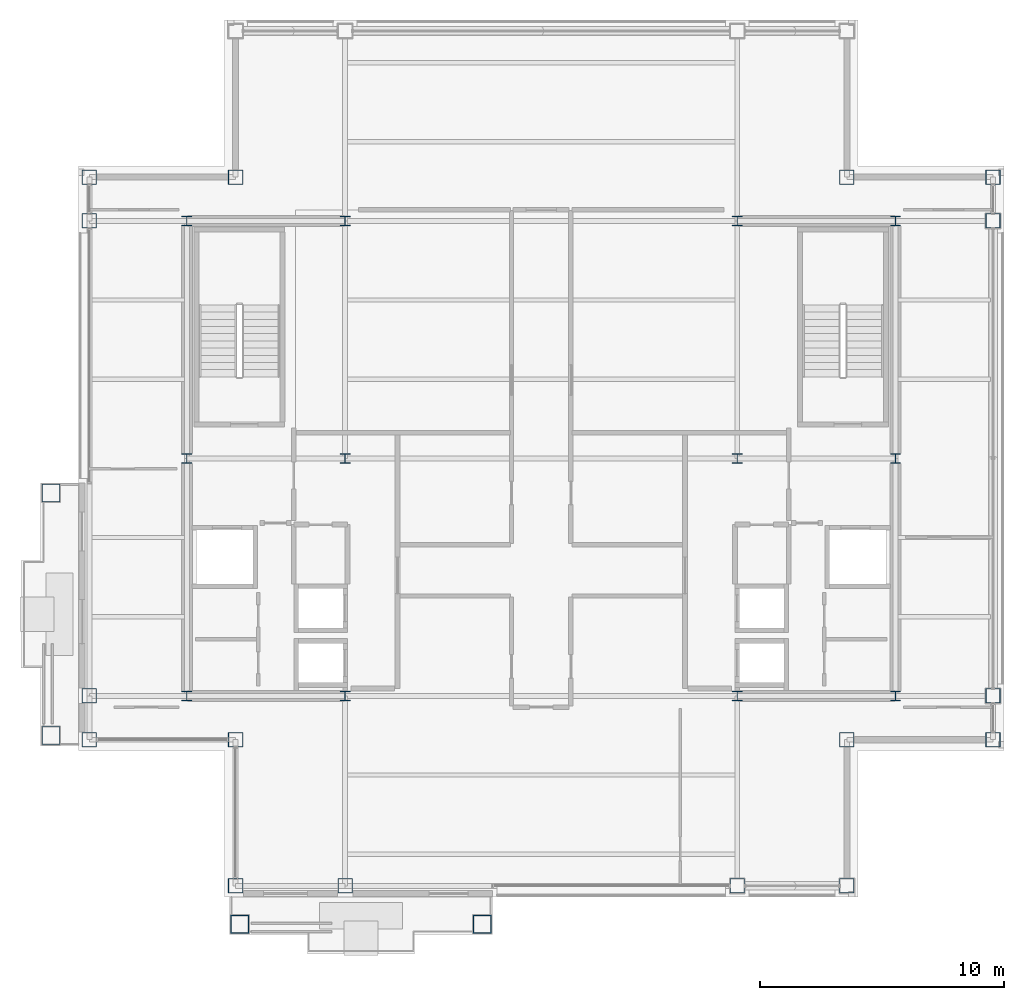
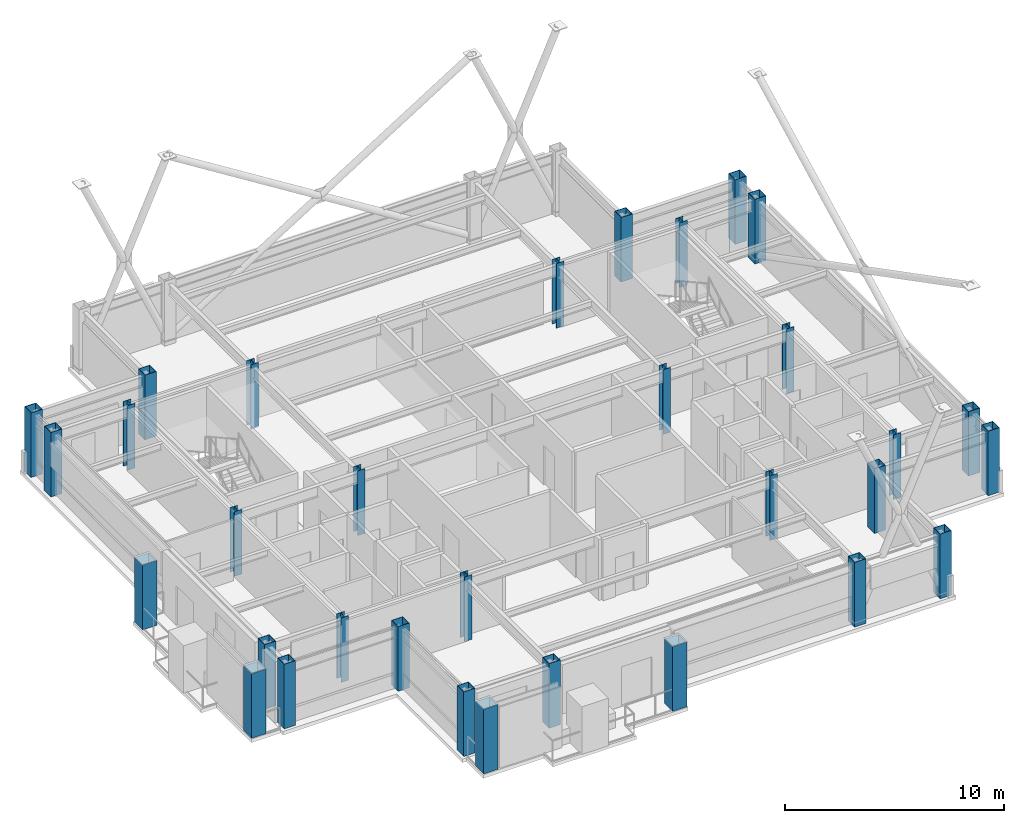
# One storey, part 1 of 27: 32 columns.
"""IFC4 building model written with IfcOpenShell, lengths in metres."""

from ifc_helpers import new_model, si_unit, direction, frame, origin, origin_2d, place, context, subcontext, project, spatial, hollow_rectangle, i_section, extrude, material, material_profile, profile_set, type_object, element, save


model = new_model("IFC4")

# Units and contexts
model_context = context("Model", 3, precision=1e-05, world=origin(), true_north=direction((0.0, 1.0)))
body_context = subcontext(model_context, "Body", "Model", "MODEL_VIEW")
ifc_project = project(units=[si_unit("LENGTHUNIT", "METRE"), si_unit("AREAUNIT", "SQUARE_METRE"), si_unit("VOLUMEUNIT", "CUBIC_METRE"), si_unit("PLANEANGLEUNIT", "RADIAN"), si_unit("MASSUNIT", "GRAM", prefix="KILO")], contexts=[model_context])

# Site, building, storey
site_placement = place(None, origin())
site = spatial("IfcSite", under=ifc_project, at=site_placement, CompositionType="ELEMENT")
building_placement = place(site_placement, origin())
building = spatial("IfcBuilding", under=site, at=building_placement, Name="Brelmoor Portico Tower", CompositionType="ELEMENT")
storey_placement = place(building_placement, frame((0.0, 0.0, 258.0)))
storey = spatial("IfcBuildingStorey", under=building, at=storey_placement, Name="L68", CompositionType="ELEMENT", Elevation=258.0)

# Columns
ifc_material = material(Name="Steel Q355B", Category="steel")
ifc_material_profile_1 = material_profile(ifc_material, hollow_rectangle(XDim=0.60009765625, YDim=0.60009765625, WallThickness=0.02490234375, at=origin_2d()), Name="BOX 600x600x25")
ifc_profile_set_1 = profile_set([ifc_material_profile_1], Name="Steel Q355B")
column_type_1 = type_object("IfcColumnType", Name="COL-MEGA-600", PredefinedType="COLUMN", material=ifc_profile_set_1)
for number, where, z_axis, x_axis, name in (
    (1, (-12.550048828125, -17.550048828125, 0.0), (0.0, 0.0, 1.0), (1.0, 0.0, 0.0), "L68 Perimeter Mega-Column PS01"),
    (2, (-8.050048828125, -17.550048828125, 0.0), (0.0, 0.0, 1.0), (1.0, 0.0, 0.0), "L68 Perimeter Mega-Column PS02"),
    (3, (8.050048828125, -17.550048828125, 0.0), (0.0, 0.0, 1.0), (1.0, 0.0, 0.0), "L68 Perimeter Mega-Column PS03"),
    (4, (12.550048828125, -17.550048828125, 0.0), (0.0, 0.0, 1.0), (1.0, 0.0, 0.0), "L68 Perimeter Mega-Column PS04"),
    (5, (-18.550048828125, -11.550048828125, 0.0), (0.0, 0.0, 1.0), (0.0, 1.0, 0.0), "L68 Perimeter Mega-Column PW01"),
    (6, (-18.550048828125, -9.75, 0.0), (0.0, 0.0, 1.0), (0.0, 1.0, 0.0), "L68 Perimeter Mega-Column PW02"),
    (7, (-18.550048828125, 9.75, 0.0), (0.0, 0.0, 1.0), (0.0, 1.0, 0.0), "L68 Perimeter Mega-Column PW03"),
    (8, (-18.550048828125, 11.550048828125, 0.0), (0.0, 0.0, 1.0), (0.0, 1.0, 0.0), "L68 Perimeter Mega-Column PW04"),
    (9, (18.550048828125, -11.550048828125, 0.0), (0.0, 0.0, 1.0), (0.0, 1.0, 0.0), "L68 Perimeter Mega-Column PE01"),
    (10, (18.550048828125, -9.75, 0.0), (0.0, 0.0, 1.0), (0.0, 1.0, 0.0), "L68 Perimeter Mega-Column PE02"),
    (11, (18.550048828125, 9.75, 0.0), (0.0, 0.0, 1.0), (0.0, 1.0, 0.0), "L68 Perimeter Mega-Column PE03"),
    (12, (18.550048828125, 11.550048828125, 0.0), (0.0, 0.0, 1.0), (0.0, 1.0, 0.0), "L68 Perimeter Mega-Column PE04"),
    (13, (-12.550048828125, 11.550048828125, 0.0), (0.0, 0.0, 1.0), (1.0, 0.0, 0.0), "L68 Perimeter Mega-Column PC-NW"),
    (14, (12.550048828125, 11.550048828125, 0.0), (0.0, 0.0, 1.0), (1.0, 0.0, 0.0), "L68 Perimeter Mega-Column PC-NE"),
    (15, (12.550048828125, -11.550048828125, 0.0), (0.0, 0.0, 1.0), (1.0, 0.0, 0.0), "L68 Perimeter Mega-Column PC-SE"),
    (16, (-12.550048828125, -11.550048828125, 0.0), (0.0, 0.0, 1.0), (1.0, 0.0, 0.0), "L68 Perimeter Mega-Column PC-SW"),
):
    element("IfcColumn", number, at=place(storey_placement, frame(where, z_axis=z_axis, x_axis=x_axis)), inside=storey, type_object=column_type_1, Name=name, PredefinedType="COLUMN", context=body_context, shape_type="SweptSolid", body=[
        extrude(hollow_rectangle(XDim=0.60009765625, YDim=0.60009765625, WallThickness=0.02490234375, at=origin_2d()), origin(), (0.0, 0.0, 1.0), 3.60009765625),
    ])
ifc_material_profile_2 = material_profile(ifc_material, hollow_rectangle(XDim=0.75, YDim=0.75, WallThickness=0.031982421875, at=origin_2d()), Name="BOX 750x750x32")
ifc_profile_set_2 = profile_set([ifc_material_profile_2], Name="Steel Q355B")
column_type_2 = type_object("IfcColumnType", Name="COL-MEGA-750", PredefinedType="COLUMN", material=ifc_profile_set_2)
for number, where, z_axis, x_axis, name in (
    (17, (-12.3798828125, -19.1298828125, 0.0), (0.0, 0.0, 1.0), (1.0, 0.0, 0.0), "L68 Proud Picture-Frame Pier PFJ-S1"),
    (18, (-2.419921875, -19.1298828125, 0.0), (0.0, 0.0, 1.0), (1.0, 0.0, 0.0), "L68 Proud Picture-Frame Pier PFJ-S2"),
    (19, (-20.1298828125, -11.3798828125, 0.0), (0.0, 0.0, 1.0), (0.0, 1.0, 0.0), "L68 Proud Picture-Frame Pier PFJ-W1"),
    (20, (-20.1298828125, -1.419921875, 0.0), (0.0, 0.0, 1.0), (0.0, 1.0, 0.0), "L68 Proud Picture-Frame Pier PFJ-W2"),
):
    element("IfcColumn", number, at=place(storey_placement, frame(where, z_axis=z_axis, x_axis=x_axis)), inside=storey, type_object=column_type_2, Name=name, PredefinedType="COLUMN", context=body_context, shape_type="SweptSolid", body=[
        extrude(hollow_rectangle(XDim=0.75, YDim=0.75, WallThickness=0.031982421875, at=origin_2d()), origin(), (0.0, 0.0, 1.0), 3.60009765625),
    ])
ifc_material_profile_3 = material_profile(ifc_material, i_section(OverallWidth=0.39990234375, OverallDepth=0.39990234375, WebThickness=0.012939453125, FlangeThickness=0.02099609375, at=origin_2d()), Name="HW 400x400x13x21")
ifc_profile_set_3 = profile_set([ifc_material_profile_3], Name="Steel Q355B")
column_type_3 = type_object("IfcColumnType", Name="COL-SPINE-400", PredefinedType="COLUMN", material=ifc_profile_set_3)
for number, where, z_axis, x_axis, name in (
    (21, (-14.550048828125, -9.75, 0.0), (0.0, 0.0, 1.0), (1.0, 0.0, 0.0), "L68 Core Spine Column CW-SW"),
    (22, (-14.550048828125, 0.0, 0.0), (0.0, 0.0, 1.0), (1.0, 0.0, 0.0), "L68 Core Spine Column CW-MW"),
    (23, (-14.550048828125, 9.75, 0.0), (0.0, 0.0, 1.0), (1.0, 0.0, 0.0), "L68 Core Spine Column CW-NW"),
    (24, (-8.050048828125, -9.75, 0.0), (0.0, 0.0, 1.0), (1.0, 0.0, 0.0), "L68 Core Spine Column CW-SE"),
    (25, (-8.050048828125, 0.0, 0.0), (0.0, 0.0, 1.0), (1.0, 0.0, 0.0), "L68 Core Spine Column CW-ME"),
    (26, (-8.050048828125, 9.75, 0.0), (0.0, 0.0, 1.0), (1.0, 0.0, 0.0), "L68 Core Spine Column CW-NE"),
    (27, (8.050048828125, -9.75, 0.0), (0.0, 0.0, 1.0), (1.0, 0.0, 0.0), "L68 Core Spine Column CE-SW"),
    (28, (8.050048828125, 0.0, 0.0), (0.0, 0.0, 1.0), (1.0, 0.0, 0.0), "L68 Core Spine Column CE-MW"),
    (29, (8.050048828125, 9.75, 0.0), (0.0, 0.0, 1.0), (1.0, 0.0, 0.0), "L68 Core Spine Column CE-NW"),
    (30, (14.550048828125, -9.75, 0.0), (0.0, 0.0, 1.0), (1.0, 0.0, 0.0), "L68 Core Spine Column CE-SE"),
    (31, (14.550048828125, 0.0, 0.0), (0.0, 0.0, 1.0), (1.0, 0.0, 0.0), "L68 Core Spine Column CE-ME"),
    (32, (14.550048828125, 9.75, 0.0), (0.0, 0.0, 1.0), (1.0, 0.0, 0.0), "L68 Core Spine Column CE-NE"),
):
    element("IfcColumn", number, at=place(storey_placement, frame(where, z_axis=z_axis, x_axis=x_axis)), inside=storey, type_object=column_type_3, Name=name, PredefinedType="COLUMN", context=body_context, shape_type="SweptSolid", body=[
        extrude(i_section(OverallWidth=0.39990234375, OverallDepth=0.39990234375, WebThickness=0.012939453125, FlangeThickness=0.02099609375, at=origin_2d()), origin(), (0.0, 0.0, 1.0), 3.60009765625),
    ])

save(model, "model.ifc")
